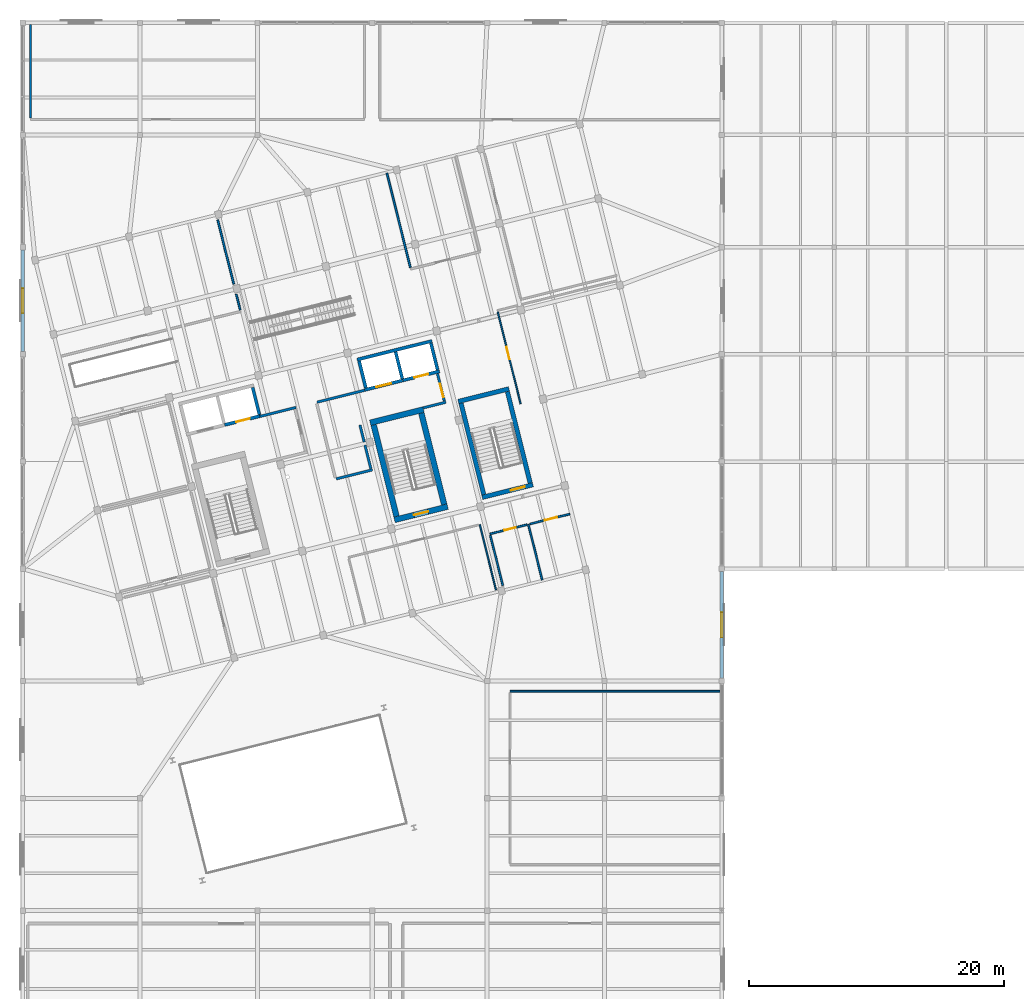
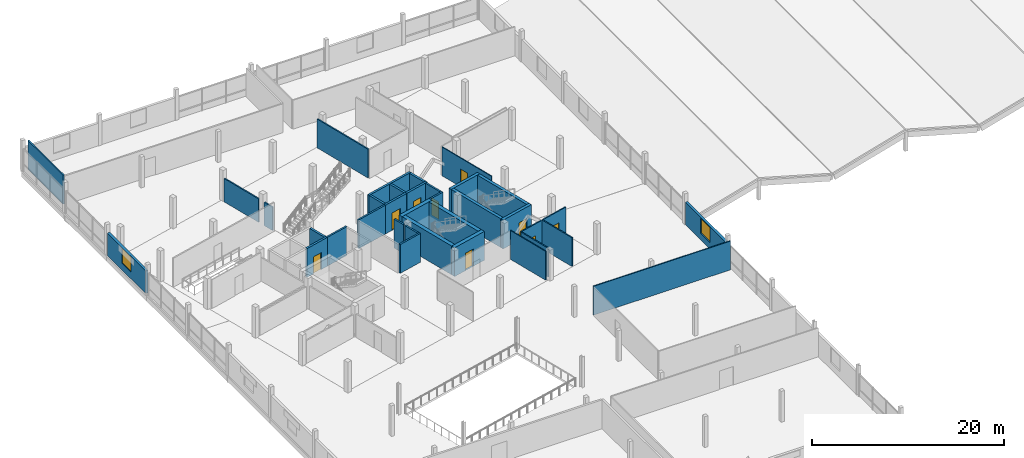
# One storey, part 42 of 47: 36 walls, 9 doors, 2 windows, 11 openings.
"""IFC4 building model written with IfcOpenShell, lengths in metres."""

from ifc_helpers import new_model, si_unit, direction, frame, frame_2d, origin, place, context, subcontext, project, spatial, rectangle, extrude, material, layer, layer_set, type_object, element, fill, save


model = new_model("IFC4")

# Units and contexts
model_context = context("Model", 3, precision=1e-05, world=origin(), true_north=direction((0.0, 1.0)))
body_context = subcontext(model_context, "Body", "Model", "MODEL_VIEW")
ifc_project = project(units=[si_unit("LENGTHUNIT", "METRE"), si_unit("AREAUNIT", "SQUARE_METRE"), si_unit("VOLUMEUNIT", "CUBIC_METRE"), si_unit("PLANEANGLEUNIT", "RADIAN"), si_unit("MASSUNIT", "GRAM", prefix="KILO")], contexts=[model_context])

# Site, building, storey
site_placement = place(None, origin())
site = spatial("IfcSite", under=ifc_project, at=site_placement, CompositionType="ELEMENT")
building_placement = place(site_placement, origin())
building = spatial("IfcBuilding", under=site, at=building_placement, Name="Meriwether Solvik Hall", CompositionType="ELEMENT")
storey_placement = place(building_placement, frame((0.0, 0.0, 18.300048828125)))
storey = spatial("IfcBuildingStorey", under=building, at=storey_placement, Name="L04", CompositionType="ELEMENT", Elevation=18.300048828125)

# Wall
ifc_material_1 = material(Name="Double-Layer Acoustic Gypsum Board", Category="gypsum")
ifc_layer_1 = layer(ifc_material_1, 0.1650390625)
ifc_layer_set_1 = layer_set([ifc_layer_1], Name="Double-Layer Acoustic Gypsum Board")
wall_type_1 = type_object("IfcWallType", Name="WALL-DEM-165", PredefinedType="PARTITIONING", material=ifc_layer_set_1)
wall_1_placement = place(storey_placement, frame((60.0, 92.64990234375, 0.0), z_axis=(0.0, 0.0, 1.0), x_axis=(0.0, -1.0, 0.0)))
element("IfcWall", 1, at=wall_1_placement, inside=storey, type_object=wall_type_1, Name="L04 Interior Partition cnt_n4a_w", PredefinedType="PARTITIONING", context=body_context, shape_type="SweptSolid", body=[
    extrude(rectangle(XDim=7.329833984375, YDim=0.1650390625, at=frame_2d((3.6650390625, 0.0))), origin(), (0.0, 0.0, 1.0), 3.655029296875),
])

# Wall, opening, window
ifc_material_2 = material(Name="Cross-Laminated Timber and Mineral-Wool Insulation", Category="wood")
ifc_layer_2 = layer(ifc_material_2, 0.2900390625)
ifc_layer_set_2 = layer_set([ifc_layer_2], Name="Cross-Laminated Timber and Mineral-Wool Insulation")
wall_type_2 = type_object("IfcWallType", Name="WALL-EXT-290", PredefinedType="SOLIDWALL", material=ifc_layer_set_2)
wall_2_placement = place(storey_placement, frame((59.39990234375, 67.02197265625, 0.0), z_axis=(0.0, 0.0, 1.0), x_axis=(0.0, 1.0, 0.0)))
wall_2 = element("IfcWall", 2, at=wall_2_placement, inside=storey, type_object=wall_type_2, Name="L04 W Wing Facade Wall Y7_8_19", PredefinedType="SOLIDWALL", context=body_context, shape_type="SweptSolid", body=[
    extrude(rectangle(XDim=7.9560546875, YDim=0.2900390625, at=frame_2d((3.97802734375, 0.0))), origin(), (0.0, 0.0, 1.0), 2.85498046875),
])
opening_1_placement = place(wall_2_placement, frame((3.0029296875, 0.0, 0.85009765625)))
opening_1 = element("IfcOpeningElement", 3, at=opening_1_placement, cuts=wall_2, Name="Opening WN-158", PredefinedType="OPENING", context=body_context, shape_type="SweptSolid", body=[
    extrude(rectangle(XDim=1.949951171875, YDim=1.89990234375, at=frame_2d((0.97509765625, 0.949951171875))), frame((0.0, 0.156982421875, 0.0), z_axis=(0.0, -1.0, 0.0), x_axis=(1.0, 0.0, 0.0)), (0.0, 0.0, 1.0), 0.31396484375),
])
ifc_material_3 = material(Name="Thermally Broken Anodised Aluminium and Triple Low-E Glass", Category="aluminium")
window_type = type_object("IfcWindowType", Name="WIN-TW-LOW-195X190", PartitioningType="SINGLE_PANEL", PredefinedType="WINDOW", material=ifc_material_3)
window_1_placement = place(opening_1_placement, origin())
window_1 = element("IfcWindow", 4, at=window_1_placement, inside=storey, type_object=window_type, Name="L04 W Window Y7_8_19", OverallHeight=1.89990234375, OverallWidth=1.949951171875, PartitioningType="SINGLE_PANEL", PredefinedType="WINDOW", context=body_context, shape_type="SweptSolid", body=[
    extrude(rectangle(XDim=1.949951171875, YDim=1.89990234375, at=frame_2d((0.97509765625, 0.949951171875))), frame((0.0, 0.030029296875, 0.0), z_axis=(0.0, -1.0, 0.0), x_axis=(1.0, 0.0, 0.0)), (0.0, 0.0, 1.0), 0.06005859375),
])
fill(opening_1, window_1)

wall_3_placement = place(storey_placement, frame((114.199951171875, 49.778076171875, 0.0), z_axis=(0.0, 0.0, 1.0), x_axis=(0.0, -1.0, 0.0)))
wall_3 = element("IfcWall", 5, at=wall_3_placement, inside=storey, type_object=wall_type_2, Name="L04 E Wing Facade Wall Y13_5_26", PredefinedType="SOLIDWALL", context=body_context, shape_type="SweptSolid", body=[
    extrude(rectangle(XDim=8.35595703125, YDim=0.2900390625, at=frame_2d((4.177978515625, 0.0))), origin(), (0.0, 0.0, 1.0), 2.85498046875),
])
opening_2_placement = place(wall_3_placement, frame((3.202880859375, 0.0, 0.85009765625)))
opening_2 = element("IfcOpeningElement", 6, at=opening_2_placement, cuts=wall_3, Name="Opening WN-158", PredefinedType="OPENING", context=body_context, shape_type="SweptSolid", body=[
    extrude(rectangle(XDim=1.949951171875, YDim=1.89990234375, at=frame_2d((0.97509765625, 0.949951171875))), frame((0.0, 0.156982421875, 0.0), z_axis=(0.0, -1.0, 0.0), x_axis=(1.0, 0.0, 0.0)), (0.0, 0.0, 1.0), 0.31396484375),
])
window_2_placement = place(opening_2_placement, origin())
window_2 = element("IfcWindow", 7, at=window_2_placement, inside=storey, type_object=window_type, Name="L04 E Window Y13_5_26", OverallHeight=1.89990234375, OverallWidth=1.949951171875, PartitioningType="SINGLE_PANEL", PredefinedType="WINDOW", context=body_context, shape_type="SweptSolid", body=[
    extrude(rectangle(XDim=1.949951171875, YDim=1.89990234375, at=frame_2d((0.97509765625, 0.949951171875))), frame((0.0, 0.030029296875, 0.0), z_axis=(0.0, -1.0, 0.0), x_axis=(1.0, 0.0, 0.0)), (0.0, 0.0, 1.0), 0.06005859375),
])
fill(opening_2, window_2)

# Walls
ifc_material_4 = material(Name="Fire-Rated Type X Gypsum Board", Category="gypsum")
ifc_layer_3 = layer(ifc_material_4, 0.199951171875)
ifc_layer_set_3 = layer_set([ifc_layer_3], Name="Fire-Rated Type X Gypsum Board")
wall_type_3 = type_object("IfcWallType", Name="WALL-FIRE-200", PredefinedType="STANDARD", material=ifc_layer_set_3)
wall_4_placement = place(storey_placement, frame((77.991943359375, 61.938232421875, 0.0), z_axis=(0.0, 0.0, 1.0), x_axis=(0.970304586447, 0.241886356621, 0.0)))
element("IfcWall", 8, at=wall_4_placement, inside=storey, type_object=wall_type_3, Name="L04 Interior Partition lb1_n_cap", PredefinedType="STANDARD", context=body_context, shape_type="SweptSolid", body=[
    extrude(rectangle(XDim=2.919921875, YDim=0.199951171875, at=frame_2d((1.4599609375, 0.0))), origin(), (0.0, 0.0, 1.0), 3.655029296875),
])
wall_5_placement = place(storey_placement, frame((83.972412109375, 57.03955078125, 0.0), z_axis=(0.0, 0.0, 1.0), x_axis=(0.970308790931, 0.241869490102, 0.0)))
element("IfcWall", 9, at=wall_5_placement, inside=storey, type_object=wall_type_3, Name="L04 Interior Partition lb2_s_w", PredefinedType="STANDARD", context=body_context, shape_type="SweptSolid", body=[
    extrude(rectangle(XDim=2.932373046875, YDim=0.199951171875, at=frame_2d((1.46630859375, 0.0))), origin(), (0.0, 0.0, 1.0), 3.655029296875),
])
wall_6_placement = place(storey_placement, frame((86.691650390625, 57.841064453125, 0.0), z_axis=(0.0, 0.0, 1.0), x_axis=(-0.241992731984, 0.970278062035, 0.0)))
element("IfcWall", 10, at=wall_6_placement, inside=storey, type_object=wall_type_3, Name="L04 Interior Partition lb2_e_low", PredefinedType="STANDARD", context=body_context, shape_type="SweptSolid", body=[
    extrude(rectangle(XDim=1.90478515625, YDim=0.199951171875, at=frame_2d((0.952392578125, 0.0))), origin(), (0.0, 0.0, 1.0), 3.655029296875),
])
wall_7_placement = place(storey_placement, frame((86.169921875, 59.932861328125, 0.0), z_axis=(0.0, 0.0, 1.0), x_axis=(-0.241824833036, 0.970319921535, 0.0)))
element("IfcWall", 11, at=wall_7_placement, inside=storey, type_object=wall_type_3, Name="L04 Interior Partition lb2_e_low_s2", PredefinedType="STANDARD", context=body_context, shape_type="SweptSolid", body=[
    extrude(rectangle(XDim=1.3740234375, YDim=0.199951171875, at=frame_2d((0.68701171875, 0.0))), origin(), (0.0, 0.0, 1.0), 3.655029296875),
])
wall_8_placement = place(storey_placement, frame((82.47265625, 63.05517578125, 0.0), z_axis=(0.0, 0.0, 1.0), x_axis=(0.970284368558, 0.241967444366, 0.0)))
element("IfcWall", 12, at=wall_8_placement, inside=storey, type_object=wall_type_3, Name="L04 Interior Partition lb2_n_cap_w", PredefinedType="STANDARD", context=body_context, shape_type="SweptSolid", body=[
    extrude(rectangle(XDim=3.84228515625, YDim=0.199951171875, at=frame_2d((1.921142578125, 0.0))), origin(), (0.0, 0.0, 1.0), 3.655029296875),
])
wall_9_placement = place(storey_placement, frame((90.791015625, 62.604248046875, 0.0), z_axis=(0.0, 0.0, 1.0), x_axis=(0.970306180373, 0.241879962645, 0.0)))
element("IfcWall", 13, at=wall_9_placement, inside=storey, type_object=wall_type_3, Name="L04 Interior Partition lb2_s", PredefinedType="STANDARD", context=body_context, shape_type="SweptSolid", body=[
    extrude(rectangle(XDim=1.840087890625, YDim=0.199951171875, at=frame_2d((0.919921875, 0.0))), origin(), (0.0, 0.0, 1.0), 3.655029296875),
])

# Wall, opening, door
wall_10_placement = place(storey_placement, frame((91.913330078125, 65.295654296875, 0.0), z_axis=(0.0, 0.0, 1.0), x_axis=(0.241836892041, -0.970316916089, 0.0)))
wall_10 = element("IfcWall", 14, at=wall_10_placement, inside=storey, type_object=wall_type_3, Name="L04 Interior Partition lb2_e", PredefinedType="STANDARD", context=body_context, shape_type="SweptSolid", body=[
    extrude(rectangle(XDim=2.219970703125, YDim=0.199951171875, at=frame_2d((1.10986328125, 0.0))), origin(), (0.0, 0.0, 1.0), 3.655029296875),
])
opening_3_placement = place(wall_10_placement, frame((0.820068359375, 0.0, 0.0)))
opening_3 = element("IfcOpeningElement", 15, at=opening_3_placement, cuts=wall_10, Name="Opening D-168", PredefinedType="OPENING", context=body_context, shape_type="SweptSolid", body=[
    extrude(rectangle(XDim=1.10009765625, YDim=2.199951171875, at=frame_2d((0.550048828125, 1.10009765625))), frame((0.0, 0.11181640625, 0.0), z_axis=(0.0, -1.0, 0.0), x_axis=(1.0, 0.0, 0.0)), (0.0, 0.0, 1.0), 0.223876953125),
])
ifc_material_5 = material(Name="Steel A36 Galvanised", Category="steel")
door_type_1 = type_object("IfcDoorType", Name="DR-FD60-1100L", OperationType="SINGLE_SWING_LEFT", PredefinedType="DOOR", material=ifc_material_5)
door_1_placement = place(opening_3_placement, origin())
door_1 = element("IfcDoor", 16, at=door_1_placement, inside=storey, type_object=door_type_1, Name="East FSAE Lift Lobby Door (L04)", OperationType="SINGLE_SWING_LEFT", OverallHeight=2.199951171875, OverallWidth=1.10009765625, PredefinedType="DOOR", context=body_context, shape_type="SweptSolid", body=[
    extrude(rectangle(XDim=1.10009765625, YDim=2.199951171875, at=frame_2d((0.550048828125, 1.10009765625))), frame((0.0, 0.02490234375, 0.0), z_axis=(0.0, -1.0, 0.0), x_axis=(1.0, 0.0, 0.0)), (0.0, 0.0, 1.0), 0.050048828125),
])
fill(opening_3, door_1)

# Wall
ifc_material_6 = material(Name="Tempered Laminated Glass in Anodised Aluminium Frame", Category="aluminium")
ifc_layer_4 = layer(ifc_material_6, 0.112060546875)
ifc_layer_set_4 = layer_set([ifc_layer_4], Name="Tempered Laminated Glass in Anodised Aluminium Frame")
wall_type_4 = type_object("IfcWallType", Name="WALL-GLZ-112", PredefinedType="PARTITIONING", material=ifc_layer_set_4)
wall_11_placement = place(storey_placement, frame((96.50048828125, 48.343994140625, 0.0), z_axis=(0.0, 0.0, 1.0), x_axis=(-0.241914024689, 0.970297688681, 0.0)))
element("IfcWall", 17, at=wall_11_placement, inside=storey, type_object=wall_type_4, Name="L04 Interior Partition sem_sc_e", PredefinedType="PARTITIONING", context=body_context, shape_type="SweptSolid", body=[
    extrude(rectangle(XDim=5.26806640625, YDim=0.112060546875, at=frame_2d((2.634033203125, 0.0))), origin(), (0.0, 0.0, 1.0), 3.655029296875),
])

# Wall, opening, door
wall_12_placement = place(storey_placement, frame((96.635986328125, 70.12158203125, 0.0), z_axis=(0.0, 0.0, 1.0), x_axis=(0.241939445223, -0.970291350495, 0.0)))
wall_12 = element("IfcWall", 18, at=wall_12_placement, inside=storey, type_object=wall_type_4, Name="L04 Interior Partition fac_se_w", PredefinedType="PARTITIONING", context=body_context, shape_type="SweptSolid", body=[
    extrude(rectangle(XDim=7.419921875, YDim=0.112060546875, at=frame_2d((3.7099609375, 0.0))), origin(), (0.0, 0.0, 1.0), 3.655029296875),
])
opening_4_placement = place(wall_12_placement, frame((2.823486328125, 0.0, 0.0)))
opening_4 = element("IfcOpeningElement", 19, at=opening_4_placement, cuts=wall_12, Name="Opening D-166", PredefinedType="OPENING", context=body_context, shape_type="SweptSolid", body=[
    extrude(rectangle(XDim=1.0, YDim=2.25, at=frame_2d((0.5, 1.125))), frame((0.0, 0.06787109375, 0.0), z_axis=(0.0, -1.0, 0.0), x_axis=(1.0, 0.0, 0.0)), (0.0, 0.0, 1.0), 0.135986328125),
])
ifc_material_7 = material(Name="Laminated Vision Glass and Solid White Oak Timber", Category="wood")
door_type_2 = type_object("IfcDoorType", Name="DR-OFF-1000L", OperationType="SINGLE_SWING_LEFT", PredefinedType="DOOR", material=ifc_material_7)
door_2_placement = place(opening_4_placement, origin())
door_2 = element("IfcDoor", 20, at=door_2_placement, inside=storey, type_object=door_type_2, Name="L04 Faculty Collaborative Office Door", OperationType="SINGLE_SWING_LEFT", OverallHeight=2.25, OverallWidth=1.0, PredefinedType="DOOR", context=body_context, shape_type="SweptSolid", body=[
    extrude(rectangle(XDim=1.0, YDim=2.25, at=frame_2d((0.5, 1.125))), frame((0.0, 0.02490234375, 0.0), z_axis=(0.0, -1.0, 0.0), x_axis=(1.0, 0.0, 0.0)), (0.0, 0.0, 1.0), 0.050048828125),
])
fill(opening_4, door_2)

# Wall
ifc_material_8 = material(Name="Concrete C40/50", Category="concrete")
ifc_layer_5 = layer(ifc_material_8, 0.25)
ifc_layer_set_5 = layer_set([ifc_layer_5], Name="Concrete C40/50")
wall_type_5 = type_object("IfcWallType", Name="WALL-HOIST-250", PredefinedType="SHEAR", material=ifc_layer_set_5)
wall_13_placement = place(storey_placement, frame((77.948486328125, 62.09228515625, 0.0), z_axis=(0.0, 0.0, 1.0), x_axis=(-0.241903146974, 0.970300400641, 0.0)))
element("IfcWall", 21, at=wall_13_placement, inside=storey, type_object=wall_type_5, Name="Hoistway BANK1 East Wall (L04)", PredefinedType="SHEAR", context=body_context, shape_type="SweptSolid", body=[
    extrude(rectangle(XDim=2.179931640625, YDim=0.25, at=frame_2d((1.08984375, 0.0))), origin(), (0.0, 0.0, 1.0), 3.655029296875),
])

# Wall, opening, door
wall_14_placement = place(storey_placement, frame((75.225341796875, 61.274169921875, 0.0), z_axis=(0.0, 0.0, 1.0), x_axis=(0.970297295425, 0.241915601999, 0.0)))
wall_14 = element("IfcWall", 22, at=wall_14_placement, inside=storey, type_object=wall_type_5, Name="Lift LP-01 Landing Wall (L04)", PredefinedType="SHEAR", context=body_context, shape_type="SweptSolid", body=[
    extrude(rectangle(XDim=2.965087890625, YDim=0.25, at=frame_2d((1.482421875, 0.0))), origin(), (0.0, 0.0, 1.0), 3.655029296875),
])
opening_5_placement = place(wall_14_placement, frame((0.9326171875, 0.0, 0.0)))
opening_5 = element("IfcOpeningElement", 23, at=opening_5_placement, cuts=wall_14, Name="Opening LD-03", PredefinedType="OPENING", context=body_context, shape_type="SweptSolid", body=[
    extrude(rectangle(XDim=1.10009765625, YDim=2.14990234375, at=frame_2d((0.550048828125, 1.074951171875))), frame((0.0, 0.136962890625, 0.0), z_axis=(0.0, -1.0, 0.0), x_axis=(1.0, 0.0, 0.0)), (0.0, 0.0, 1.0), 0.27392578125),
])
ifc_material_9 = material(Name="Stainless Steel AISI 316", Category="steel")
door_type_3 = type_object("IfcDoorType", Name="DR-LIFT-PASS", OperationType="DOUBLE_DOOR_SLIDING", PredefinedType="DOOR", material=ifc_material_9)
door_3_placement = place(opening_5_placement, origin())
door_3 = element("IfcDoor", 24, at=door_3_placement, inside=storey, type_object=door_type_3, Name="Lift Landing Door LP-01 (L04)", OperationType="DOUBLE_DOOR_SLIDING", OverallHeight=2.14990234375, OverallWidth=1.10009765625, PredefinedType="DOOR", context=body_context, shape_type="SweptSolid", body=[
    extrude(rectangle(XDim=1.10009765625, YDim=2.14990234375, at=frame_2d((0.550048828125, 1.074951171875))), frame((0.0, 0.02490234375, 0.0), z_axis=(0.0, -1.0, 0.0), x_axis=(1.0, 0.0, 0.0)), (0.0, 0.0, 1.0), 0.050048828125),
])
fill(opening_5, door_3)

# Walls
wall_15_placement = place(storey_placement, frame((91.48193359375, 67.852294921875, 0.0), z_axis=(0.0, 0.0, 1.0), x_axis=(-0.970296596103, -0.241918406889, 0.0)))
element("IfcWall", 25, at=wall_15_placement, inside=storey, type_object=wall_type_5, Name="Hoistway BANK2 North Wall (L04)", PredefinedType="SHEAR", context=body_context, shape_type="SweptSolid", body=[
    extrude(rectangle(XDim=6.050048828125, YDim=0.25, at=frame_2d((3.02490234375, 0.0))), origin(), (0.0, 0.0, 1.0), 3.655029296875),
])
for number, where, z_axis, x_axis, name in (
    (26, (85.765625, 66.287841796875, 0.0), (0.0, 0.0, 1.0), (0.241903146974, -0.970300400641, 0.0), "Hoistway BANK2 West Wall (L04)"),
    (27, (91.920654296875, 65.575927734375, 0.0), (0.0, 0.0, 1.0), (-0.241903146974, 0.970300400641, 0.0), "Hoistway BANK2 East Wall (L04)"),
    (28, (89.1552734375, 64.886474609375, 0.0), (0.0, 0.0, 1.0), (-0.241903146974, 0.970300400641, 0.0), "Hoistway BANK2 Divider Pier (L04)"),
):
    element("IfcWall", number, at=place(storey_placement, frame(where, z_axis=z_axis, x_axis=x_axis)), inside=storey, type_object=wall_type_5, Name=name, PredefinedType="SHEAR", context=body_context, shape_type="SweptSolid", body=[
        extrude(rectangle(XDim=2.179931640625, YDim=0.25, at=frame_2d((1.08984375, 0.0))), origin(), (0.0, 0.0, 1.0), 3.655029296875),
    ])

# Wall, opening, door
wall_16_placement = place(storey_placement, frame((86.204345703125, 64.011474609375, 0.0), z_axis=(0.0, 0.0, 1.0), x_axis=(0.970296930481, 0.241917065747, 0.0)))
wall_16 = element("IfcWall", 29, at=wall_16_placement, inside=storey, type_object=wall_type_5, Name="Lift LF-02 Landing Wall (L04)", PredefinedType="SHEAR", context=body_context, shape_type="SweptSolid", body=[
    extrude(rectangle(XDim=3.06494140625, YDim=0.25, at=frame_2d((1.532470703125, 0.0))), origin(), (0.0, 0.0, 1.0), 3.655029296875),
])
opening_6_placement = place(wall_16_placement, frame((0.9326171875, 0.0, 0.0)))
opening_6 = element("IfcOpeningElement", 30, at=opening_6_placement, cuts=wall_16, Name="Opening LD-02", PredefinedType="OPENING", context=body_context, shape_type="SweptSolid", body=[
    extrude(rectangle(XDim=1.199951171875, YDim=2.199951171875, at=frame_2d((0.60009765625, 1.10009765625))), frame((0.0, 0.136962890625, 0.0), z_axis=(0.0, -1.0, 0.0), x_axis=(1.0, 0.0, 0.0)), (0.0, 0.0, 1.0), 0.27392578125),
])
ifc_material_10 = material(Name="Stainless Steel AISI 316", Category="steel")
door_type_4 = type_object("IfcDoorType", Name="DR-LIFT-FSAE", OperationType="DOUBLE_DOOR_SLIDING", PredefinedType="DOOR", material=ifc_material_10)
door_4_placement = place(opening_6_placement, origin())
door_4 = element("IfcDoor", 31, at=door_4_placement, inside=storey, type_object=door_type_4, Name="Lift Landing Door LF-02 (L04)", OperationType="DOUBLE_DOOR_SLIDING", OverallHeight=2.199951171875, OverallWidth=1.199951171875, PredefinedType="DOOR", context=body_context, shape_type="SweptSolid", body=[
    extrude(rectangle(XDim=1.199951171875, YDim=2.199951171875, at=frame_2d((0.60009765625, 1.10009765625))), frame((0.0, 0.02490234375, 0.0), z_axis=(0.0, -1.0, 0.0), x_axis=(1.0, 0.0, 0.0)), (0.0, 0.0, 1.0), 0.050048828125),
])
fill(opening_6, door_4)

wall_17_placement = place(storey_placement, frame((89.19775390625, 64.7578125, 0.0), z_axis=(0.0, 0.0, 1.0), x_axis=(0.970297295425, 0.241915601999, 0.0)))
wall_17 = element("IfcWall", 32, at=wall_17_placement, inside=storey, type_object=wall_type_5, Name="Lift LP-02 Landing Wall (L04)", PredefinedType="SHEAR", context=body_context, shape_type="SweptSolid", body=[
    extrude(rectangle(XDim=2.965087890625, YDim=0.25, at=frame_2d((1.482421875, 0.0))), origin(), (0.0, 0.0, 1.0), 3.655029296875),
])
opening_7_placement = place(wall_17_placement, frame((0.9326171875, 0.0, 0.0)))
opening_7 = element("IfcOpeningElement", 33, at=opening_7_placement, cuts=wall_17, Name="Opening LD-04", PredefinedType="OPENING", context=body_context, shape_type="SweptSolid", body=[
    extrude(rectangle(XDim=1.10009765625, YDim=2.14990234375, at=frame_2d((0.550048828125, 1.074951171875))), frame((0.0, 0.136962890625, 0.0), z_axis=(0.0, -1.0, 0.0), x_axis=(1.0, 0.0, 0.0)), (0.0, 0.0, 1.0), 0.27392578125),
])
door_5_placement = place(opening_7_placement, origin())
door_5 = element("IfcDoor", 34, at=door_5_placement, inside=storey, type_object=door_type_3, Name="Lift Landing Door LP-02 (L04)", OperationType="DOUBLE_DOOR_SLIDING", OverallHeight=2.14990234375, OverallWidth=1.10009765625, PredefinedType="DOOR", context=body_context, shape_type="SweptSolid", body=[
    extrude(rectangle(XDim=1.10009765625, YDim=2.14990234375, at=frame_2d((0.550048828125, 1.074951171875))), frame((0.0, 0.02490234375, 0.0), z_axis=(0.0, -1.0, 0.0), x_axis=(1.0, 0.0, 0.0)), (0.0, 0.0, 1.0), 0.050048828125),
])
fill(opening_7, door_5)

# Walls
ifc_material_11 = material(Name="Gypsum Board Partition", Category="gypsum")
ifc_layer_6 = layer(ifc_material_11, 0.125)
ifc_layer_set_6 = layer_set([ifc_layer_6], Name="Gypsum Board Partition")
wall_type_6 = type_object("IfcWallType", Name="WALL-PART-125", PredefinedType="PARTITIONING", material=ifc_layer_set_6)
wall_18_placement = place(storey_placement, frame((114.050048828125, 40.39990234375, 0.0), z_axis=(0.0, 0.0, 1.0), x_axis=(-1.0, 0.0, 0.0)))
element("IfcWall", 35, at=wall_18_placement, inside=storey, type_object=wall_type_6, Name="L04 Interior Partition cur_403_n", PredefinedType="PARTITIONING", context=body_context, shape_type="SweptSolid", body=[
    extrude(rectangle(XDim=16.449951171875, YDim=0.125, at=frame_2d((8.22509765625, 0.0))), origin(), (0.0, 0.0, 1.0), 3.655029296875),
])
ifc_material_12 = material(Name="Gypsum Board Partition", Category="gypsum")
ifc_layer_7 = layer(ifc_material_12, 0.14990234375)
ifc_layer_set_7 = layer_set([ifc_layer_7], Name="Gypsum Board Partition")
wall_type_7 = type_object("IfcWallType", Name="WALL-PART-150", PredefinedType="PARTITIONING", material=ifc_layer_set_7)
wall_19_placement = place(storey_placement, frame((76.447509765625, 70.2822265625, 0.0), z_axis=(0.0, 0.0, 1.0), x_axis=(-0.241901641303, 0.970300776015, 0.0)))
element("IfcWall", 36, at=wall_19_placement, inside=storey, type_object=wall_type_7, Name="L04 Interior Partition cls_nw1_e", PredefinedType="PARTITIONING", context=body_context, shape_type="SweptSolid", body=[
    extrude(rectangle(XDim=1.2685546875, YDim=0.14990234375, at=frame_2d((0.63427734375, 0.0))), origin(), (0.0, 0.0, 1.0), 2.969970703125),
])
wall_20_placement = place(storey_placement, frame((75.94091796875, 72.313720703125, 0.0), z_axis=(0.0, 0.0, 1.0), x_axis=(-0.241925047615, 0.970294940385, 0.0)))
element("IfcWall", 37, at=wall_20_placement, inside=storey, type_object=wall_type_7, Name="L04 Interior Partition cls_nw1_e_s2", PredefinedType="PARTITIONING", context=body_context, shape_type="SweptSolid", body=[
    extrude(rectangle(XDim=5.175048828125, YDim=0.14990234375, at=frame_2d((2.58740234375, 0.0))), origin(), (0.0, 0.0, 1.0), 2.969970703125),
])
wall_21_placement = place(storey_placement, frame((87.945556640625, 81.00244140625, 0.0), z_axis=(0.0, 0.0, 1.0), x_axis=(0.241932476187, -0.970293088178, 0.0)))
element("IfcWall", 38, at=wall_21_placement, inside=storey, type_object=wall_type_7, Name="L04 Interior Partition cls_ne1_w", PredefinedType="PARTITIONING", context=body_context, shape_type="SweptSolid", body=[
    extrude(rectangle(XDim=7.619873046875, YDim=0.14990234375, at=frame_2d((3.81005859375, 0.0))), origin(), (0.0, 0.0, 1.0), 3.655029296875),
])

# Wall, opening, door
ifc_material_13 = material(Name="Concrete C40/50", Category="concrete")
ifc_layer_8 = layer(ifc_material_13, 0.35009765625)
ifc_layer_set_8 = layer_set([ifc_layer_8], Name="Concrete C40/50")
wall_type_8 = type_object("IfcWallType", Name="WALL-RC-350", PredefinedType="SHEAR", material=ifc_layer_set_8)
wall_22_placement = place(storey_placement, frame((95.415283203125, 55.589599609375, 0.0), z_axis=(0.0, 0.0, 1.0), x_axis=(0.970292928015, 0.241933118535, 0.0)))
wall_22 = element("IfcWall", 39, at=wall_22_placement, inside=storey, type_object=wall_type_8, Name="CORE-3 Shear Wall S (L04)", PredefinedType="SHEAR", context=body_context, shape_type="SweptSolid", body=[
    extrude(rectangle(XDim=4.10009765625, YDim=0.35009765625, at=frame_2d((2.050048828125, 0.0))), origin(), (0.0, 0.0, 1.0), 3.655029296875),
])
opening_8_placement = place(wall_22_placement, frame((2.300048828125, 0.0, 0.0)))
opening_8 = element("IfcOpeningElement", 40, at=opening_8_placement, cuts=wall_22, Name="Opening D-148", PredefinedType="OPENING", context=body_context, shape_type="SweptSolid", body=[
    extrude(rectangle(XDim=1.14990234375, YDim=2.199951171875, at=frame_2d((0.574951171875, 1.10009765625))), frame((0.0, 0.18701171875, 0.0), z_axis=(0.0, -1.0, 0.0), x_axis=(1.0, 0.0, 0.0)), (0.0, 0.0, 1.0), 0.3740234375),
])
ifc_material_14 = material(Name="Steel A36 Galvanised", Category="steel")
door_type_5 = type_object("IfcDoorType", Name="DR-FD90-1150R", OperationType="SINGLE_SWING_RIGHT", PredefinedType="DOOR", material=ifc_material_14)
door_6_placement = place(opening_8_placement, origin())
door_6 = element("IfcDoor", 41, at=door_6_placement, inside=storey, type_object=door_type_5, Name="Stair ST-03 Smokeproof Exit Door (L04)", OperationType="SINGLE_SWING_RIGHT", OverallHeight=2.199951171875, OverallWidth=1.14990234375, PredefinedType="DOOR", context=body_context, shape_type="SweptSolid", body=[
    extrude(rectangle(XDim=1.14990234375, YDim=2.199951171875, at=frame_2d((0.574951171875, 1.10009765625))), frame((0.0, 0.02490234375, 0.0), z_axis=(0.0, -1.0, 0.0), x_axis=(1.0, 0.0, 0.0)), (0.0, 0.0, 1.0), 0.050048828125),
])
fill(opening_8, door_6)

# Walls
wall_23_placement = place(storey_placement, frame((97.5185546875, 64.101318359375, 0.0), z_axis=(0.0, 0.0, 1.0), x_axis=(-0.970289442421, -0.241947097371, 0.0)))
element("IfcWall", 42, at=wall_23_placement, inside=storey, type_object=wall_type_8, Name="CORE-3 Shear Wall N (L04)", PredefinedType="SHEAR", context=body_context, shape_type="SweptSolid", body=[
    extrude(rectangle(XDim=4.099853515625, YDim=0.35009765625, at=frame_2d((2.0498046875, 0.0))), origin(), (0.0, 0.0, 1.0), 3.655029296875),
])
for number, where, z_axis, x_axis, name in (
    (43, (93.755126953125, 62.97216796875, 0.0), (0.0, 0.0, 1.0), (0.241897280066, -0.970301863286, 0.0), "CORE-3 Shear Wall W (L04)"),
    (44, (99.178955078125, 56.71875, 0.0), (0.0, 0.0, 1.0), (-0.241928426141, 0.970294098006, 0.0), "CORE-3 Shear Wall E (L04)"),
):
    element("IfcWall", number, at=place(storey_placement, frame(where, z_axis=z_axis, x_axis=x_axis)), inside=storey, type_object=wall_type_8, Name=name, PredefinedType="SHEAR", context=body_context, shape_type="SweptSolid", body=[
        extrude(rectangle(XDim=7.3798828125, YDim=0.35009765625, at=frame_2d((3.68994140625, 0.0))), origin(), (0.0, 0.0, 1.0), 3.655029296875),
    ])

# Wall, opening, door
ifc_material_15 = material(Name="Concrete C45/55", Category="concrete")
ifc_layer_9 = layer(ifc_material_15, 0.449951171875)
ifc_layer_set_9 = layer_set([ifc_layer_9], Name="Concrete C45/55")
wall_type_9 = type_object("IfcWallType", Name="WALL-RC-450", PredefinedType="SHEAR", material=ifc_layer_set_9)
wall_24_placement = place(storey_placement, frame((88.538330078125, 53.823486328125, 0.0), z_axis=(0.0, 0.0, 1.0), x_axis=(0.970295933763, 0.241921063415, 0.0)))
wall_24 = element("IfcWall", 45, at=wall_24_placement, inside=storey, type_object=wall_type_9, Name="CORE-2 Shear Wall S (L04)", PredefinedType="SHEAR", context=body_context, shape_type="SweptSolid", body=[
    extrude(rectangle(XDim=4.300048828125, YDim=0.449951171875, at=frame_2d((2.14990234375, 0.0))), origin(), (0.0, 0.0, 1.0), 3.655029296875),
])
opening_9_placement = place(wall_24_placement, frame((1.574951171875, 0.0, 0.0)))
opening_9 = element("IfcOpeningElement", 46, at=opening_9_placement, cuts=wall_24, Name="Opening D-148", PredefinedType="OPENING", context=body_context, shape_type="SweptSolid", body=[
    extrude(rectangle(XDim=1.14990234375, YDim=2.199951171875, at=frame_2d((0.574951171875, 1.10009765625))), frame((0.0, 0.23681640625, 0.0), z_axis=(0.0, -1.0, 0.0), x_axis=(1.0, 0.0, 0.0)), (0.0, 0.0, 1.0), 0.473876953125),
])
door_7_placement = place(opening_9_placement, origin())
door_7 = element("IfcDoor", 47, at=door_7_placement, inside=storey, type_object=door_type_5, Name="Stair ST-02 Smokeproof Exit Door (L04)", OperationType="SINGLE_SWING_RIGHT", OverallHeight=2.199951171875, OverallWidth=1.14990234375, PredefinedType="DOOR", context=body_context, shape_type="SweptSolid", body=[
    extrude(rectangle(XDim=1.14990234375, YDim=2.199951171875, at=frame_2d((0.574951171875, 1.10009765625))), frame((0.0, 0.02490234375, 0.0), z_axis=(0.0, -1.0, 0.0), x_axis=(1.0, 0.0, 0.0)), (0.0, 0.0, 1.0), 0.050048828125),
])
fill(opening_9, door_7)

# Walls
wall_25_placement = place(storey_placement, frame((90.8115234375, 62.48046875, 0.0), z_axis=(0.0, 0.0, 1.0), x_axis=(-0.970309259708, -0.2418676095, 0.0)))
element("IfcWall", 48, at=wall_25_placement, inside=storey, type_object=wall_type_9, Name="CORE-2 Shear Wall N (L04)", PredefinedType="SHEAR", context=body_context, shape_type="SweptSolid", body=[
    extrude(rectangle(XDim=4.300048828125, YDim=0.449951171875, at=frame_2d((2.14990234375, 0.0))), origin(), (0.0, 0.0, 1.0), 3.655029296875),
])
for number, where, z_axis, x_axis, name in (
    (49, (86.91455078125, 61.266845703125, 0.0), (0.0, 0.0, 1.0), (0.241889515465, -0.970303798976, 0.0), "CORE-2 Shear Wall W (L04)"),
    (50, (92.435546875, 55.037353515625, 0.0), (0.0, 0.0, 1.0), (-0.241920660665, 0.970296034179, 0.0), "CORE-2 Shear Wall E (L04)"),
):
    element("IfcWall", number, at=place(storey_placement, frame(where, z_axis=z_axis, x_axis=x_axis)), inside=storey, type_object=wall_type_9, Name=name, PredefinedType="SHEAR", context=body_context, shape_type="SweptSolid", body=[
        extrude(rectangle(XDim=7.380126953125, YDim=0.449951171875, at=frame_2d((3.68994140625, 0.0))), origin(), (0.0, 0.0, 1.0), 3.655029296875),
    ])
ifc_material_16 = material(Name="Moisture-Resistant Gypsum Board", Category="gypsum")
ifc_layer_10 = layer(ifc_material_16, 0.139892578125)
ifc_layer_set_10 = layer_set([ifc_layer_10], Name="Moisture-Resistant Gypsum Board")
wall_type_10 = type_object("IfcWallType", Name="WALL-WET-140", PredefinedType="PLUMBINGWALL", material=ifc_layer_set_10)
wall_26_placement = place(storey_placement, frame((100.1201171875, 49.12060546875, 0.0), z_axis=(0.0, 0.0, 1.0), x_axis=(-0.2419086774, 0.970299021848, 0.0)))
element("IfcWall", 51, at=wall_26_placement, inside=storey, type_object=wall_type_10, Name="L04 Interior Partition wc_m_e", PredefinedType="PLUMBINGWALL", context=body_context, shape_type="SweptSolid", body=[
    extrude(rectangle(XDim=4.489990234375, YDim=0.139892578125, at=frame_2d((2.2451171875, 0.0))), origin(), (0.0, 0.0, 1.0), 3.655029296875),
])

# Wall, opening, door
wall_27_placement = place(storey_placement, frame((98.91748046875, 53.4482421875, 0.0), z_axis=(0.0, 0.0, 1.0), x_axis=(-0.970296512129, -0.241918743694, 0.0)))
wall_27 = element("IfcWall", 52, at=wall_27_placement, inside=storey, type_object=wall_type_10, Name="L04 Interior Partition wc_m_n", PredefinedType="PLUMBINGWALL", context=body_context, shape_type="SweptSolid", body=[
    extrude(rectangle(XDim=2.980224609375, YDim=0.139892578125, at=frame_2d((1.490234375, 0.0))), origin(), (0.0, 0.0, 1.0), 3.655029296875),
])
opening_10_placement = place(wall_27_placement, frame((0.9013671875, 0.0, 0.0)))
opening_10 = element("IfcOpeningElement", 53, at=opening_10_placement, cuts=wall_27, Name="Opening D-174", PredefinedType="OPENING", context=body_context, shape_type="SweptSolid", body=[
    extrude(rectangle(XDim=0.89990234375, YDim=2.14990234375, at=frame_2d((0.449951171875, 1.074951171875))), frame((0.0, 0.08203125, 0.0), z_axis=(0.0, -1.0, 0.0), x_axis=(1.0, 0.0, 0.0)), (0.0, 0.0, 1.0), 0.163818359375),
])
ifc_material_17 = material(Name="Solid-Core Rift White Oak Timber", Category="wood")
door_type_6 = type_object("IfcDoorType", Name="DR-WC-900L", OperationType="SINGLE_SWING_LEFT", PredefinedType="DOOR", material=ifc_material_17)
door_8_placement = place(opening_10_placement, origin())
door_8 = element("IfcDoor", 54, at=door_8_placement, inside=storey, type_object=door_type_6, Name="L04 Restrooms Door", OperationType="SINGLE_SWING_LEFT", OverallHeight=2.14990234375, OverallWidth=0.89990234375, PredefinedType="DOOR", context=body_context, shape_type="SweptSolid", body=[
    extrude(rectangle(XDim=0.89990234375, YDim=2.14990234375, at=frame_2d((0.449951171875, 1.074951171875))), frame((0.0, 0.02490234375, 0.0), z_axis=(0.0, -1.0, 0.0), x_axis=(1.0, 0.0, 0.0)), (0.0, 0.0, 1.0), 0.050048828125),
])
fill(opening_10, door_8)

# Wall
wall_28_placement = place(storey_placement, frame((96.054931640625, 52.61083984375, 0.0), z_axis=(0.0, 0.0, 1.0), x_axis=(0.241938297122, -0.97029163677, 0.0)))
element("IfcWall", 55, at=wall_28_placement, inside=storey, type_object=wall_type_10, Name="L04 Interior Partition wc_m_w", PredefinedType="PLUMBINGWALL", context=body_context, shape_type="SweptSolid", body=[
    extrude(rectangle(XDim=4.03955078125, YDim=0.139892578125, at=frame_2d((2.019775390625, 0.0))), origin(), (0.0, 0.0, 1.0), 3.655029296875),
])

# Wall, opening, door
wall_29_placement = place(storey_placement, frame((102.284423828125, 54.287841796875, 0.0), z_axis=(0.0, 0.0, 1.0), x_axis=(-0.970289047109, -0.241948682698, 0.0)))
wall_29 = element("IfcWall", 56, at=wall_29_placement, inside=storey, type_object=wall_type_10, Name="L04 Interior Partition wc_a_n", PredefinedType="PLUMBINGWALL", context=body_context, shape_type="SweptSolid", body=[
    extrude(rectangle(XDim=3.22998046875, YDim=0.139892578125, at=frame_2d((1.614990234375, 0.0))), origin(), (0.0, 0.0, 1.0), 3.655029296875),
])
opening_11_placement = place(wall_29_placement, frame((1.0341796875, 0.0, 0.0)))
opening_11 = element("IfcOpeningElement", 57, at=opening_11_placement, cuts=wall_29, Name="Opening D-140", PredefinedType="OPENING", context=body_context, shape_type="SweptSolid", body=[
    extrude(rectangle(XDim=1.0, YDim=2.14990234375, at=frame_2d((0.5, 1.074951171875))), frame((0.0, 0.08203125, 0.0), z_axis=(0.0, -1.0, 0.0), x_axis=(1.0, 0.0, 0.0)), (0.0, 0.0, 1.0), 0.163818359375),
])
ifc_material_18 = material(Name="Solid-Core Rift White Oak Timber", Category="wood")
door_type_7 = type_object("IfcDoorType", Name="DR-ACC-1000L", OperationType="SINGLE_SWING_LEFT", PredefinedType="DOOR", material=ifc_material_18)
door_9_placement = place(opening_11_placement, origin())
door_9 = element("IfcDoor", 58, at=door_9_placement, inside=storey, type_object=door_type_7, Name="L04 Accessible WC Door", OperationType="SINGLE_SWING_LEFT", OverallHeight=2.14990234375, OverallWidth=1.0, PredefinedType="DOOR", context=body_context, shape_type="SweptSolid", body=[
    extrude(rectangle(XDim=1.0, YDim=2.14990234375, at=frame_2d((0.5, 1.074951171875))), frame((0.0, 0.02490234375, 0.0), z_axis=(0.0, -1.0, 0.0), x_axis=(1.0, 0.0, 0.0)), (0.0, 0.0, 1.0), 0.050048828125),
])
fill(opening_11, door_9)

save(model, "model.ifc")
